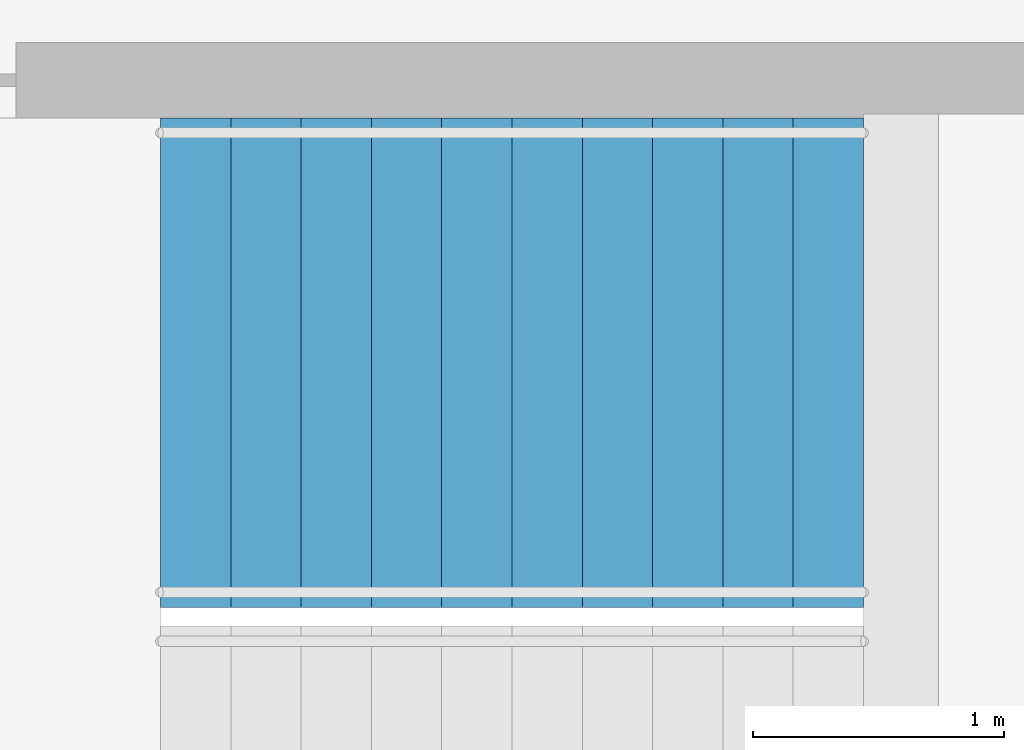
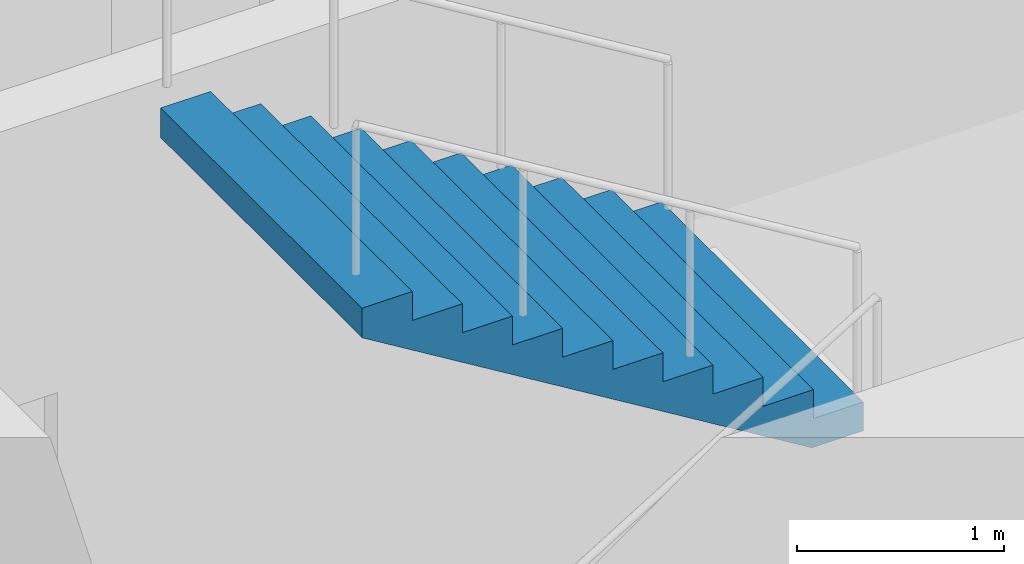
# One storey, part 21 of 26: 1 stair flight, 1 element without a shape of its own.
"""IFC4 building model written with IfcOpenShell, lengths in metres."""

from ifc_helpers import new_model, si_unit, direction, frame, origin, place, context, subcontext, project, spatial, triangles, material, type_object, element, aggregate, save


model = new_model("IFC4")

# Units and contexts
model_context = context("Model", 3, precision=1e-05, world=origin(), true_north=direction((0.0, 1.0)))
body_context = subcontext(model_context, "Body", "Model", "MODEL_VIEW")
ifc_project = project(units=[si_unit("LENGTHUNIT", "METRE"), si_unit("AREAUNIT", "SQUARE_METRE"), si_unit("VOLUMEUNIT", "CUBIC_METRE"), si_unit("PLANEANGLEUNIT", "RADIAN"), si_unit("MASSUNIT", "GRAM", prefix="KILO")], contexts=[model_context])

# Site, building, storey
site_placement = place(None, origin())
site = spatial("IfcSite", under=ifc_project, at=site_placement, CompositionType="ELEMENT")
building_placement = place(site_placement, origin())
building = spatial("IfcBuilding", under=site, at=building_placement, Name="Orbita Commons", CompositionType="ELEMENT")
storey_placement = place(building_placement, frame((0.0, 0.0, 114.39990234375)))
storey = spatial("IfcBuildingStorey", under=building, at=storey_placement, Name="L28", CompositionType="ELEMENT", Elevation=114.39990234375)

# Stair, stair flight
ifc_material_1 = material(Name="Precast concrete C40/50", Category="concrete")
stair_type = type_object("IfcStairType", Name="Exit stair S1 2 flights 11 risers 170", PredefinedType="HALF_TURN_STAIR", material=ifc_material_1)
stair_placement = place(storey_placement, origin())
stair = element("IfcStair", 1, at=stair_placement, inside=storey, type_object=stair_type, Name="Exit stair S1 L28", PredefinedType="HALF_TURN_STAIR")
ifc_material_2 = material(Name="Precast concrete C40/50", Category="concrete")
stair_flight_type = type_object("IfcStairFlightType", Name="Stair flight 11 risers 170 x 280", PredefinedType="STRAIGHT", material=ifc_material_2)
stair_flight_placement = place(storey_placement, frame((23.25, 29.27490234375, 1.875), z_axis=(0.0, 0.0, 1.0), x_axis=(-1.0, 0.0, 0.0)))
stair_flight = element("IfcStairFlight", 2, at=stair_flight_placement, type_object=stair_flight_type, Name="S1 flight 2", NumberOfRisers=11, NumberOfTreads=10, PredefinedType="STRAIGHT", RiserHeight=0.170454545, TreadLength=0.28, context=body_context, shape_type="Tessellation", body=[
    triangles([(0.0, 0.974976, 0.0), (0.0, 0.974976, 0.021307), (0.0, 0.81248, 0.021307), (0.0, 0.81248, 0.0), (0.0, 0.649984, 0.021307), (0.0, 0.649984, 0.0), (0.0, 0.487488, 0.021307), (0.0, 0.487488, 0.0), (0.0, 0.324992, 0.021307), (0.0, 0.324992, 0.0), (0.0, 0.162496, 0.021307), (0.0, 0.162496, 0.0), (0.0, 0.0, 0.021307), (0.0, 0.0, 0.0), (0.0, -0.162496, 0.021307), (0.0, -0.162496, 0.0), (0.0, -0.324992, 0.021307), (0.0, -0.324992, 0.0), (0.0, -0.487488, 0.021307), (0.0, -0.487488, 0.0), (0.0, -0.649984, 0.021307), (0.0, -0.649984, 0.0), (0.0, -0.81248, 0.021307), (0.0, -0.81248, 0.0), (0.0, -0.974976, 0.021307), (0.0, -0.974976, 0.0), (0.0, 0.974976, 0.042614), (0.0, 0.81248, 0.042614), (0.0, 0.649984, 0.042614), (0.0, 0.487488, 0.042614), (0.0, 0.324992, 0.042614), (0.0, 0.162496, 0.042614), (0.0, 0.0, 0.042614), (0.0, -0.162496, 0.042614), (0.0, -0.324992, 0.042614), (0.0, -0.487488, 0.042614), (0.0, -0.649984, 0.042614), (0.0, -0.81248, 0.042614), (0.0, -0.974976, 0.042614), (0.0, 0.974976, 0.06392), (0.0, 0.81248, 0.06392), (0.0, 0.649984, 0.06392), (0.0, 0.487488, 0.06392), (0.0, 0.324992, 0.06392), (0.0, 0.162496, 0.06392), (0.0, 0.0, 0.06392), (0.0, -0.162496, 0.06392), (0.0, -0.324992, 0.06392), (0.0, -0.487488, 0.06392), (0.0, -0.649984, 0.06392), (0.0, -0.81248, 0.06392), (0.0, -0.974976, 0.06392), (0.0, 0.974976, 0.085227), (0.0, 0.81248, 0.085227), (0.0, 0.649984, 0.085227), (0.0, 0.487488, 0.085227), (0.0, 0.324992, 0.085227), (0.0, 0.162496, 0.085227), (0.0, 0.0, 0.085227), (0.0, -0.162496, 0.085227), (0.0, -0.324992, 0.085227), (0.0, -0.487488, 0.085227), (0.0, -0.649984, 0.085227), (0.0, -0.81248, 0.085227), (0.0, -0.974976, 0.085227), (0.0, 0.974976, 0.106534), (0.0, 0.81248, 0.106534), (0.0, 0.649984, 0.106534), (0.0, 0.487488, 0.106534), (0.0, 0.324992, 0.106534), (0.0, 0.162496, 0.106534), (0.0, 0.0, 0.106534), (0.0, -0.162496, 0.106534), (0.0, -0.324992, 0.106534), (0.0, -0.487488, 0.106534), (0.0, -0.649984, 0.106534), (0.0, -0.81248, 0.106534), (0.0, -0.974976, 0.106534), (0.0, 0.974976, 0.127841), (0.0, 0.81248, 0.127841), (0.0, 0.649984, 0.127841), (0.0, 0.487488, 0.127841), (0.0, 0.324992, 0.127841), (0.0, 0.162496, 0.127841), (0.0, 0.0, 0.127841), (0.0, -0.162496, 0.127841), (0.0, -0.324992, 0.127841), (0.0, -0.487488, 0.127841), (0.0, -0.649984, 0.127841), (0.0, -0.81248, 0.127841), (0.0, -0.974976, 0.127841), (0.0, 0.974976, 0.149148), (0.0, 0.81248, 0.149148), (0.0, 0.649984, 0.149148), (0.0, 0.487488, 0.149148), (0.0, 0.324992, 0.149148), (0.0, 0.162496, 0.149148), (0.0, 0.0, 0.149148), (0.0, -0.162496, 0.149148), (0.0, -0.324992, 0.149148), (0.0, -0.487488, 0.149148), (0.0, -0.649984, 0.149148), (0.0, -0.81248, 0.149148), (0.0, -0.974976, 0.149148), (0.0, 0.974976, 0.170455), (0.0, 0.81248, 0.170455), (0.0, 0.649984, 0.170455), (0.0, 0.487488, 0.170455), (0.0, 0.324992, 0.170455), (0.0, 0.162496, 0.170455), (0.0, 0.0, 0.170455), (0.0, -0.162496, 0.170455), (0.0, -0.324992, 0.170455), (0.0, -0.487488, 0.170455), (0.0, -0.649984, 0.170455), (0.0, -0.81248, 0.170455), (0.0, -0.974976, 0.170455), (0.28, 0.974976, 0.170455), (0.28, 0.81248, 0.170455), (0.28, 0.649984, 0.170455), (0.28, 0.487488, 0.170455), (0.28, 0.324992, 0.170455), (0.28, 0.162496, 0.170455), (0.28, 0.0, 0.170455), (0.28, -0.162496, 0.170455), (0.28, -0.324992, 0.170455), (0.28, -0.487488, 0.170455), (0.28, -0.649984, 0.170455), (0.28, -0.81248, 0.170455), (0.28, -0.974976, 0.170455), (0.28, 0.974976, 0.340909), (0.28, 0.81248, 0.340909), (0.28, 0.649984, 0.340909), (0.28, 0.487488, 0.340909), (0.28, 0.324992, 0.340909), (0.28, 0.162496, 0.340909), (0.28, 0.0, 0.340909), (0.28, -0.162496, 0.340909), (0.28, -0.324992, 0.340909), (0.28, -0.487488, 0.340909), (0.28, -0.649984, 0.340909), (0.28, -0.81248, 0.340909), (0.28, -0.974976, 0.340909), (0.56, 0.974976, 0.340909), (0.56, 0.81248, 0.340909), (0.56, 0.649984, 0.340909), (0.56, 0.487488, 0.340909), (0.56, 0.324992, 0.340909), (0.56, 0.162496, 0.340909), (0.56, 0.0, 0.340909), (0.56, -0.162496, 0.340909), (0.56, -0.324992, 0.340909), (0.56, -0.487488, 0.340909), (0.56, -0.649984, 0.340909), (0.56, -0.81248, 0.340909), (0.56, -0.974976, 0.340909), (0.56, 0.974976, 0.511364), (0.56, 0.81248, 0.511364), (0.56, 0.649984, 0.511364), (0.56, 0.487488, 0.511364), (0.56, 0.324992, 0.511364), (0.56, 0.162496, 0.511364), (0.56, 0.0, 0.511364), (0.56, -0.162496, 0.511364), (0.56, -0.324992, 0.511364), (0.56, -0.487488, 0.511364), (0.56, -0.649984, 0.511364), (0.56, -0.81248, 0.511364), (0.56, -0.974976, 0.511364), (0.84, 0.974976, 0.511364), (0.84, 0.81248, 0.511364), (0.84, 0.649984, 0.511364), (0.84, 0.487488, 0.511364), (0.84, 0.324992, 0.511364), (0.84, 0.162496, 0.511364), (0.84, 0.0, 0.511364), (0.84, -0.162496, 0.511364), (0.84, -0.324992, 0.511364), (0.84, -0.487488, 0.511364), (0.84, -0.649984, 0.511364), (0.84, -0.81248, 0.511364), (0.84, -0.974976, 0.511364), (0.84, 0.974976, 0.681818), (0.84, 0.81248, 0.681818), (0.84, 0.649984, 0.681818), (0.84, 0.487488, 0.681818), (0.84, 0.324992, 0.681818), (0.84, 0.162496, 0.681818), (0.84, 0.0, 0.681818), (0.84, -0.162496, 0.681818), (0.84, -0.324992, 0.681818), (0.84, -0.487488, 0.681818), (0.84, -0.649984, 0.681818), (0.84, -0.81248, 0.681818), (0.84, -0.974976, 0.681818), (1.12, 0.974976, 0.681818), (1.12, 0.81248, 0.681818), (1.12, 0.649984, 0.681818), (1.12, 0.487488, 0.681818), (1.12, 0.324992, 0.681818), (1.12, 0.162496, 0.681818), (1.12, 0.0, 0.681818), (1.12, -0.162496, 0.681818), (1.12, -0.324992, 0.681818), (1.12, -0.487488, 0.681818), (1.12, -0.649984, 0.681818), (1.12, -0.81248, 0.681818), (1.12, -0.974976, 0.681818), (1.12, 0.974976, 0.852273), (1.12, 0.81248, 0.852273), (1.12, 0.649984, 0.852273), (1.12, 0.487488, 0.852273), (1.12, 0.324992, 0.852273), (1.12, 0.162496, 0.852273), (1.12, 0.0, 0.852273), (1.12, -0.162496, 0.852273), (1.12, -0.324992, 0.852273), (1.12, -0.487488, 0.852273), (1.12, -0.649984, 0.852273), (1.12, -0.81248, 0.852273), (1.12, -0.974976, 0.852273), (1.4, 0.974976, 0.852273), (1.4, 0.81248, 0.852273), (1.4, 0.649984, 0.852273), (1.4, 0.487488, 0.852273), (1.4, 0.324992, 0.852273), (1.4, 0.162496, 0.852273), (1.4, 0.0, 0.852273), (1.4, -0.162496, 0.852273), (1.4, -0.324992, 0.852273), (1.4, -0.487488, 0.852273), (1.4, -0.649984, 0.852273), (1.4, -0.81248, 0.852273), (1.4, -0.974976, 0.852273), (1.4, 0.974976, 1.022727), (1.4, 0.81248, 1.022727), (1.4, 0.649984, 1.022727), (1.4, 0.487488, 1.022727), (1.4, 0.324992, 1.022727), (1.4, 0.162496, 1.022727), (1.4, 0.0, 1.022727), (1.4, -0.162496, 1.022727), (1.4, -0.324992, 1.022727), (1.4, -0.487488, 1.022727), (1.4, -0.649984, 1.022727), (1.4, -0.81248, 1.022727), (1.4, -0.974976, 1.022727), (1.68, 0.974976, 1.022727), (1.68, 0.81248, 1.022727), (1.68, 0.649984, 1.022727), (1.68, 0.487488, 1.022727), (1.68, 0.324992, 1.022727), (1.68, 0.162496, 1.022727), (1.68, 0.0, 1.022727), (1.68, -0.162496, 1.022727), (1.68, -0.324992, 1.022727), (1.68, -0.487488, 1.022727), (1.68, -0.649984, 1.022727), (1.68, -0.81248, 1.022727), (1.68, -0.974976, 1.022727), (1.68, 0.974976, 1.193182), (1.68, 0.81248, 1.193182), (1.68, 0.649984, 1.193182), (1.68, 0.487488, 1.193182), (1.68, 0.324992, 1.193182), (1.68, 0.162496, 1.193182), (1.68, 0.0, 1.193182), (1.68, -0.162496, 1.193182), (1.68, -0.324992, 1.193182), (1.68, -0.487488, 1.193182), (1.68, -0.649984, 1.193182), (1.68, -0.81248, 1.193182), (1.68, -0.974976, 1.193182), (1.96, 0.974976, 1.193182), (1.96, 0.81248, 1.193182), (1.96, 0.649984, 1.193182), (1.96, 0.487488, 1.193182), (1.96, 0.324992, 1.193182), (1.96, 0.162496, 1.193182), (1.96, 0.0, 1.193182), (1.96, -0.162496, 1.193182), (1.96, -0.324992, 1.193182), (1.96, -0.487488, 1.193182), (1.96, -0.649984, 1.193182), (1.96, -0.81248, 1.193182), (1.96, -0.974976, 1.193182), (1.96, 0.974976, 1.363636), (1.96, 0.81248, 1.363636), (1.96, 0.649984, 1.363636), (1.96, 0.487488, 1.363636), (1.96, 0.324992, 1.363636), (1.96, 0.162496, 1.363636), (1.96, 0.0, 1.363636), (1.96, -0.162496, 1.363636), (1.96, -0.324992, 1.363636), (1.96, -0.487488, 1.363636), (1.96, -0.649984, 1.363636), (1.96, -0.81248, 1.363636), (1.96, -0.974976, 1.363636), (2.24, 0.974976, 1.363636), (2.24, 0.81248, 1.363636), (2.24, 0.649984, 1.363636), (2.24, 0.487488, 1.363636), (2.24, 0.324992, 1.363636), (2.24, 0.162496, 1.363636), (2.24, 0.0, 1.363636), (2.24, -0.162496, 1.363636), (2.24, -0.324992, 1.363636), (2.24, -0.487488, 1.363636), (2.24, -0.649984, 1.363636), (2.24, -0.81248, 1.363636), (2.24, -0.974976, 1.363636), (2.24, 0.974976, 1.534091), (2.24, 0.81248, 1.534091), (2.24, 0.649984, 1.534091), (2.24, 0.487488, 1.534091), (2.24, 0.324992, 1.534091), (2.24, 0.162496, 1.534091), (2.24, 0.0, 1.534091), (2.24, -0.162496, 1.534091), (2.24, -0.324992, 1.534091), (2.24, -0.487488, 1.534091), (2.24, -0.649984, 1.534091), (2.24, -0.81248, 1.534091), (2.24, -0.974976, 1.534091), (2.52, 0.974976, 1.534091), (2.52, 0.81248, 1.534091), (2.52, 0.649984, 1.534091), (2.52, 0.487488, 1.534091), (2.52, 0.324992, 1.534091), (2.52, 0.162496, 1.534091), (2.52, 0.0, 1.534091), (2.52, -0.162496, 1.534091), (2.52, -0.324992, 1.534091), (2.52, -0.487488, 1.534091), (2.52, -0.649984, 1.534091), (2.52, -0.81248, 1.534091), (2.52, -0.974976, 1.534091), (2.52, 0.974976, 1.704545), (2.52, 0.81248, 1.704545), (2.52, 0.649984, 1.704545), (2.52, 0.487488, 1.704545), (2.52, 0.324992, 1.704545), (2.52, 0.162496, 1.704545), (2.52, 0.0, 1.704545), (2.52, -0.162496, 1.704545), (2.52, -0.324992, 1.704545), (2.52, -0.487488, 1.704545), (2.52, -0.649984, 1.704545), (2.52, -0.81248, 1.704545), (2.52, -0.974976, 1.704545), (2.8, 0.974976, 1.704545), (2.8, 0.81248, 1.704545), (2.8, 0.649984, 1.704545), (2.8, 0.487488, 1.704545), (2.8, 0.324992, 1.704545), (2.8, 0.162496, 1.704545), (2.8, 0.0, 1.704545), (2.8, -0.162496, 1.704545), (2.8, -0.324992, 1.704545), (2.8, -0.487488, 1.704545), (2.8, -0.649984, 1.704545), (2.8, -0.81248, 1.704545), (2.8, -0.974976, 1.704545), (2.8, 0.974976, 1.682609), (2.8, 0.81248, 1.682609), (2.8, 0.649984, 1.682609), (2.8, 0.487488, 1.682609), (2.8, 0.324992, 1.682609), (2.8, 0.162496, 1.682609), (2.8, 0.0, 1.682609), (2.8, -0.162496, 1.682609), (2.8, -0.324992, 1.682609), (2.8, -0.487488, 1.682609), (2.8, -0.649984, 1.682609), (2.8, -0.81248, 1.682609), (2.8, -0.974976, 1.682609), (2.8, 0.974976, 1.660672), (2.8, 0.81248, 1.660672), (2.8, 0.649984, 1.660672), (2.8, 0.487488, 1.660672), (2.8, 0.324992, 1.660672), (2.8, 0.162496, 1.660672), (2.8, 0.0, 1.660672), (2.8, -0.162496, 1.660672), (2.8, -0.324992, 1.660672), (2.8, -0.487488, 1.660672), (2.8, -0.649984, 1.660672), (2.8, -0.81248, 1.660672), (2.8, -0.974976, 1.660672), (2.8, 0.974976, 1.638735), (2.8, 0.81248, 1.638735), (2.8, 0.649984, 1.638735), (2.8, 0.487488, 1.638735), (2.8, 0.324992, 1.638735), (2.8, 0.162496, 1.638735), (2.8, 0.0, 1.638735), (2.8, -0.162496, 1.638735), (2.8, -0.324992, 1.638735), (2.8, -0.487488, 1.638735), (2.8, -0.649984, 1.638735), (2.8, -0.81248, 1.638735), (2.8, -0.974976, 1.638735), (2.8, 0.974976, 1.616798), (2.8, 0.81248, 1.616798), (2.8, 0.649984, 1.616798), (2.8, 0.487488, 1.616798), (2.8, 0.324992, 1.616798), (2.8, 0.162496, 1.616798), (2.8, 0.0, 1.616798), (2.8, -0.162496, 1.616798), (2.8, -0.324992, 1.616798), (2.8, -0.487488, 1.616798), (2.8, -0.649984, 1.616798), (2.8, -0.81248, 1.616798), (2.8, -0.974976, 1.616798), (2.8, 0.974976, 1.594861), (2.8, 0.81248, 1.594861), (2.8, 0.649984, 1.594861), (2.8, 0.487488, 1.594861), (2.8, 0.324992, 1.594861), (2.8, 0.162496, 1.594861), (2.8, 0.0, 1.594861), (2.8, -0.162496, 1.594861), (2.8, -0.324992, 1.594861), (2.8, -0.487488, 1.594861), (2.8, -0.649984, 1.594861), (2.8, -0.81248, 1.594861), (2.8, -0.974976, 1.594861), (2.8, 0.974976, 1.572925), (2.8, 0.81248, 1.572925), (2.8, 0.649984, 1.572925), (2.8, 0.487488, 1.572925), (2.8, 0.324992, 1.572925), (2.8, 0.162496, 1.572925), (2.8, 0.0, 1.572925), (2.8, -0.162496, 1.572925), (2.8, -0.324992, 1.572925), (2.8, -0.487488, 1.572925), (2.8, -0.649984, 1.572925), (2.8, -0.81248, 1.572925), (2.8, -0.974976, 1.572925), (2.8, 0.974976, 1.550988), (2.8, 0.81248, 1.550988), (2.8, 0.649984, 1.550988), (2.8, 0.487488, 1.550988), (2.8, 0.324992, 1.550988), (2.8, 0.162496, 1.550988), (2.8, 0.0, 1.550988), (2.8, -0.162496, 1.550988), (2.8, -0.324992, 1.550988), (2.8, -0.487488, 1.550988), (2.8, -0.649984, 1.550988), (2.8, -0.81248, 1.550988), (2.8, -0.974976, 1.550988), (2.8, 0.974976, 1.529051), (2.8, 0.81248, 1.529051), (2.8, 0.649984, 1.529051), (2.8, 0.487488, 1.529051), (2.8, 0.324992, 1.529051), (2.8, 0.162496, 1.529051), (2.8, 0.0, 1.529051), (2.8, -0.162496, 1.529051), (2.8, -0.324992, 1.529051), (2.8, -0.487488, 1.529051), (2.8, -0.649984, 1.529051), (2.8, -0.81248, 1.529051), (2.8, -0.974976, 1.529051), (0.288279, 0.974976, 0.0), (0.288279, 0.81248, 0.0), (0.288279, 0.649984, 0.0), (0.288279, 0.487488, 0.0), (0.288279, 0.324992, 0.0), (0.288279, 0.162496, 0.0), (0.288279, 0.0, 0.0), (0.288279, -0.162496, 0.0), (0.288279, -0.324992, 0.0), (0.288279, -0.487488, 0.0), (0.288279, -0.649984, 0.0), (0.288279, -0.81248, 0.0), (0.288279, -0.974976, 0.0)], [[3, 2, 1], [4, 3, 1], [5, 3, 4], [6, 5, 4], [7, 5, 6], [8, 7, 6], [9, 7, 8], [10, 9, 8], [11, 9, 10], [12, 11, 10], [13, 11, 12], [14, 13, 12], [15, 13, 14], [16, 15, 14], [17, 15, 16], [18, 17, 16], [19, 17, 18], [20, 19, 18], [21, 19, 20], [22, 21, 20], [23, 21, 22], [24, 23, 22], [25, 23, 24], [26, 25, 24], [28, 27, 2], [3, 28, 2], [29, 28, 3], [5, 29, 3], [30, 29, 5], [7, 30, 5], [31, 30, 7], [9, 31, 7], [32, 31, 9], [11, 32, 9], [33, 32, 11], [13, 33, 11], [34, 33, 13], [15, 34, 13], [35, 34, 15], [17, 35, 15], [36, 35, 17], [19, 36, 17], [37, 36, 19], [21, 37, 19], [38, 37, 21], [23, 38, 21], [39, 38, 23], [25, 39, 23], [41, 40, 27], [28, 41, 27], [42, 41, 28], [29, 42, 28], [43, 42, 29], [30, 43, 29], [44, 43, 30], [31, 44, 30], [45, 44, 31], [32, 45, 31], [46, 45, 32], [33, 46, 32], [47, 46, 33], [34, 47, 33], [48, 47, 34], [35, 48, 34], [49, 48, 35], [36, 49, 35], [50, 49, 36], [37, 50, 36], [51, 50, 37], [38, 51, 37], [52, 51, 38], [39, 52, 38], [54, 53, 40], [41, 54, 40], [55, 54, 41], [42, 55, 41], [56, 55, 42], [43, 56, 42], [57, 56, 43], [44, 57, 43], [58, 57, 44], [45, 58, 44], [59, 58, 45], [46, 59, 45], [60, 59, 46], [47, 60, 46], [61, 60, 47], [48, 61, 47], [62, 61, 48], [49, 62, 48], [63, 62, 49], [50, 63, 49], [64, 63, 50], [51, 64, 50], [65, 64, 51], [52, 65, 51], [67, 66, 53], [54, 67, 53], [68, 67, 54], [55, 68, 54], [69, 68, 55], [56, 69, 55], [70, 69, 56], [57, 70, 56], [71, 70, 57], [58, 71, 57], [72, 71, 58], [59, 72, 58], [73, 72, 59], [60, 73, 59], [74, 73, 60], [61, 74, 60], [75, 74, 61], [62, 75, 61], [76, 75, 62], [63, 76, 62], [77, 76, 63], [64, 77, 63], [78, 77, 64], [65, 78, 64], [80, 79, 66], [67, 80, 66], [81, 80, 67], [68, 81, 67], [82, 81, 68], [69, 82, 68], [83, 82, 69], [70, 83, 69], [84, 83, 70], [71, 84, 70], [85, 84, 71], [72, 85, 71], [86, 85, 72], [73, 86, 72], [87, 86, 73], [74, 87, 73], [88, 87, 74], [75, 88, 74], [89, 88, 75], [76, 89, 75], [90, 89, 76], [77, 90, 76], [91, 90, 77], [78, 91, 77], [93, 92, 79], [80, 93, 79], [94, 93, 80], [81, 94, 80], [95, 94, 81], [82, 95, 81], [96, 95, 82], [83, 96, 82], [97, 96, 83], [84, 97, 83], [98, 97, 84], [85, 98, 84], [99, 98, 85], [86, 99, 85], [100, 99, 86], [87, 100, 86], [101, 100, 87], [88, 101, 87], [102, 101, 88], [89, 102, 88], [103, 102, 89], [90, 103, 89], [104, 103, 90], [91, 104, 90], [106, 105, 92], [93, 106, 92], [107, 106, 93], [94, 107, 93], [108, 107, 94], [95, 108, 94], [109, 108, 95], [96, 109, 95], [110, 109, 96], [97, 110, 96], [111, 110, 97], [98, 111, 97], [112, 111, 98], [99, 112, 98], [113, 112, 99], [100, 113, 99], [114, 113, 100], [101, 114, 100], [115, 114, 101], [102, 115, 101], [116, 115, 102], [103, 116, 102], [117, 116, 103], [104, 117, 103], [119, 118, 105], [106, 119, 105], [120, 119, 106], [107, 120, 106], [121, 120, 107], [108, 121, 107], [122, 121, 108], [109, 122, 108], [123, 122, 109], [110, 123, 109], [124, 123, 110], [111, 124, 110], [125, 124, 111], [112, 125, 111], [126, 125, 112], [113, 126, 112], [127, 126, 113], [114, 127, 113], [128, 127, 114], [115, 128, 114], [129, 128, 115], [116, 129, 115], [130, 129, 116], [117, 130, 116], [132, 131, 118], [119, 132, 118], [133, 132, 119], [120, 133, 119], [134, 133, 120], [121, 134, 120], [135, 134, 121], [122, 135, 121], [136, 135, 122], [123, 136, 122], [137, 136, 123], [124, 137, 123], [138, 137, 124], [125, 138, 124], [139, 138, 125], [126, 139, 125], [140, 139, 126], [127, 140, 126], [141, 140, 127], [128, 141, 127], [142, 141, 128], [129, 142, 128], [143, 142, 129], [130, 143, 129], [145, 144, 131], [132, 145, 131], [146, 145, 132], [133, 146, 132], [147, 146, 133], [134, 147, 133], [148, 147, 134], [135, 148, 134], [149, 148, 135], [136, 149, 135], [150, 149, 136], [137, 150, 136], [151, 150, 137], [138, 151, 137], [152, 151, 138], [139, 152, 138], [153, 152, 139], [140, 153, 139], [154, 153, 140], [141, 154, 140], [155, 154, 141], [142, 155, 141], [156, 155, 142], [143, 156, 142], [158, 157, 144], [145, 158, 144], [159, 158, 145], [146, 159, 145], [160, 159, 146], [147, 160, 146], [161, 160, 147], [148, 161, 147], [162, 161, 148], [149, 162, 148], [163, 162, 149], [150, 163, 149], [164, 163, 150], [151, 164, 150], [165, 164, 151], [152, 165, 151], [166, 165, 152], [153, 166, 152], [167, 166, 153], [154, 167, 153], [168, 167, 154], [155, 168, 154], [169, 168, 155], [156, 169, 155], [171, 170, 157], [158, 171, 157], [172, 171, 158], [159, 172, 158], [173, 172, 159], [160, 173, 159], [174, 173, 160], [161, 174, 160], [175, 174, 161], [162, 175, 161], [176, 175, 162], [163, 176, 162], [177, 176, 163], [164, 177, 163], [178, 177, 164], [165, 178, 164], [179, 178, 165], [166, 179, 165], [180, 179, 166], [167, 180, 166], [181, 180, 167], [168, 181, 167], [182, 181, 168], [169, 182, 168], [184, 183, 170], [171, 184, 170], [185, 184, 171], [172, 185, 171], [186, 185, 172], [173, 186, 172], [187, 186, 173], [174, 187, 173], [188, 187, 174], [175, 188, 174], [189, 188, 175], [176, 189, 175], [190, 189, 176], [177, 190, 176], [191, 190, 177], [178, 191, 177], [192, 191, 178], [179, 192, 178], [193, 192, 179], [180, 193, 179], [194, 193, 180], [181, 194, 180], [195, 194, 181], [182, 195, 181], [197, 196, 183], [184, 197, 183], [198, 197, 184], [185, 198, 184], [199, 198, 185], [186, 199, 185], [200, 199, 186], [187, 200, 186], [201, 200, 187], [188, 201, 187], [202, 201, 188], [189, 202, 188], [203, 202, 189], [190, 203, 189], [204, 203, 190], [191, 204, 190], [205, 204, 191], [192, 205, 191], [206, 205, 192], [193, 206, 192], [207, 206, 193], [194, 207, 193], [208, 207, 194], [195, 208, 194], [210, 209, 196], [197, 210, 196], [211, 210, 197], [198, 211, 197], [212, 211, 198], [199, 212, 198], [213, 212, 199], [200, 213, 199], [214, 213, 200], [201, 214, 200], [215, 214, 201], [202, 215, 201], [216, 215, 202], [203, 216, 202], [217, 216, 203], [204, 217, 203], [218, 217, 204], [205, 218, 204], [219, 218, 205], [206, 219, 205], [220, 219, 206], [207, 220, 206], [221, 220, 207], [208, 221, 207], [223, 222, 209], [210, 223, 209], [224, 223, 210], [211, 224, 210], [225, 224, 211], [212, 225, 211], [226, 225, 212], [213, 226, 212], [227, 226, 213], [214, 227, 213], [228, 227, 214], [215, 228, 214], [229, 228, 215], [216, 229, 215], [230, 229, 216], [217, 230, 216], [231, 230, 217], [218, 231, 217], [232, 231, 218], [219, 232, 218], [233, 232, 219], [220, 233, 219], [234, 233, 220], [221, 234, 220], [236, 235, 222], [223, 236, 222], [237, 236, 223], [224, 237, 223], [238, 237, 224], [225, 238, 224], [239, 238, 225], [226, 239, 225], [240, 239, 226], [227, 240, 226], [241, 240, 227], [228, 241, 227], [242, 241, 228], [229, 242, 228], [243, 242, 229], [230, 243, 229], [244, 243, 230], [231, 244, 230], [245, 244, 231], [232, 245, 231], [246, 245, 232], [233, 246, 232], [247, 246, 233], [234, 247, 233], [249, 248, 235], [236, 249, 235], [250, 249, 236], [237, 250, 236], [251, 250, 237], [238, 251, 237], [252, 251, 238], [239, 252, 238], [253, 252, 239], [240, 253, 239], [254, 253, 240], [241, 254, 240], [255, 254, 241], [242, 255, 241], [256, 255, 242], [243, 256, 242], [257, 256, 243], [244, 257, 243], [258, 257, 244], [245, 258, 244], [259, 258, 245], [246, 259, 245], [260, 259, 246], [247, 260, 246], [262, 261, 248], [249, 262, 248], [263, 262, 249], [250, 263, 249], [264, 263, 250], [251, 264, 250], [265, 264, 251], [252, 265, 251], [266, 265, 252], [253, 266, 252], [267, 266, 253], [254, 267, 253], [268, 267, 254], [255, 268, 254], [269, 268, 255], [256, 269, 255], [270, 269, 256], [257, 270, 256], [271, 270, 257], [258, 271, 257], [272, 271, 258], [259, 272, 258], [273, 272, 259], [260, 273, 259], [275, 274, 261], [262, 275, 261], [276, 275, 262], [263, 276, 262], [277, 276, 263], [264, 277, 263], [278, 277, 264], [265, 278, 264], [279, 278, 265], [266, 279, 265], [280, 279, 266], [267, 280, 266], [281, 280, 267], [268, 281, 267], [282, 281, 268], [269, 282, 268], [283, 282, 269], [270, 283, 269], [284, 283, 270], [271, 284, 270], [285, 284, 271], [272, 285, 271], [286, 285, 272], [273, 286, 272], [288, 287, 274], [275, 288, 274], [289, 288, 275], [276, 289, 275], [290, 289, 276], [277, 290, 276], [291, 290, 277], [278, 291, 277], [292, 291, 278], [279, 292, 278], [293, 292, 279], [280, 293, 279], [294, 293, 280], [281, 294, 280], [295, 294, 281], [282, 295, 281], [296, 295, 282], [283, 296, 282], [297, 296, 283], [284, 297, 283], [298, 297, 284], [285, 298, 284], [299, 298, 285], [286, 299, 285], [301, 300, 287], [288, 301, 287], [302, 301, 288], [289, 302, 288], [303, 302, 289], [290, 303, 289], [304, 303, 290], [291, 304, 290], [305, 304, 291], [292, 305, 291], [306, 305, 292], [293, 306, 292], [307, 306, 293], [294, 307, 293], [308, 307, 294], [295, 308, 294], [309, 308, 295], [296, 309, 295], [310, 309, 296], [297, 310, 296], [311, 310, 297], [298, 311, 297], [312, 311, 298], [299, 312, 298], [314, 313, 300], [301, 314, 300], [315, 314, 301], [302, 315, 301], [316, 315, 302], [303, 316, 302], [317, 316, 303], [304, 317, 303], [318, 317, 304], [305, 318, 304], [319, 318, 305], [306, 319, 305], [320, 319, 306], [307, 320, 306], [321, 320, 307], [308, 321, 307], [322, 321, 308], [309, 322, 308], [323, 322, 309], [310, 323, 309], [324, 323, 310], [311, 324, 310], [325, 324, 311], [312, 325, 311], [327, 326, 313], [314, 327, 313], [328, 327, 314], [315, 328, 314], [329, 328, 315], [316, 329, 315], [330, 329, 316], [317, 330, 316], [331, 330, 317], [318, 331, 317], [332, 331, 318], [319, 332, 318], [333, 332, 319], [320, 333, 319], [334, 333, 320], [321, 334, 320], [335, 334, 321], [322, 335, 321], [336, 335, 322], [323, 336, 322], [337, 336, 323], [324, 337, 323], [338, 337, 324], [325, 338, 324], [340, 339, 326], [327, 340, 326], [341, 340, 327], [328, 341, 327], [342, 341, 328], [329, 342, 328], [343, 342, 329], [330, 343, 329], [344, 343, 330], [331, 344, 330], [345, 344, 331], [332, 345, 331], [346, 345, 332], [333, 346, 332], [347, 346, 333], [334, 347, 333], [348, 347, 334], [335, 348, 334], [349, 348, 335], [336, 349, 335], [350, 349, 336], [337, 350, 336], [351, 350, 337], [338, 351, 337], [353, 352, 339], [340, 353, 339], [354, 353, 340], [341, 354, 340], [355, 354, 341], [342, 355, 341], [356, 355, 342], [343, 356, 342], [357, 356, 343], [344, 357, 343], [358, 357, 344], [345, 358, 344], [359, 358, 345], [346, 359, 345], [360, 359, 346], [347, 360, 346], [361, 360, 347], [348, 361, 347], [362, 361, 348], [349, 362, 348], [363, 362, 349], [350, 363, 349], [364, 363, 350], [351, 364, 350], [366, 365, 352], [353, 366, 352], [367, 366, 353], [354, 367, 353], [368, 367, 354], [355, 368, 354], [369, 368, 355], [356, 369, 355], [370, 369, 356], [357, 370, 356], [371, 370, 357], [358, 371, 357], [372, 371, 358], [359, 372, 358], [373, 372, 359], [360, 373, 359], [374, 373, 360], [361, 374, 360], [375, 374, 361], [362, 375, 361], [376, 375, 362], [363, 376, 362], [377, 376, 363], [364, 377, 363], [379, 378, 365], [366, 379, 365], [380, 379, 366], [367, 380, 366], [381, 380, 367], [368, 381, 367], [382, 381, 368], [369, 382, 368], [383, 382, 369], [370, 383, 369], [384, 383, 370], [371, 384, 370], [385, 384, 371], [372, 385, 371], [386, 385, 372], [373, 386, 372], [387, 386, 373], [374, 387, 373], [388, 387, 374], [375, 388, 374], [389, 388, 375], [376, 389, 375], [390, 389, 376], [377, 390, 376], [392, 391, 378], [379, 392, 378], [393, 392, 379], [380, 393, 379], [394, 393, 380], [381, 394, 380], [395, 394, 381], [382, 395, 381], [396, 395, 382], [383, 396, 382], [397, 396, 383], [384, 397, 383], [398, 397, 384], [385, 398, 384], [399, 398, 385], [386, 399, 385], [400, 399, 386], [387, 400, 386], [401, 400, 387], [388, 401, 387], [402, 401, 388], [389, 402, 388], [403, 402, 389], [390, 403, 389], [405, 404, 391], [392, 405, 391], [406, 405, 392], [393, 406, 392], [407, 406, 393], [394, 407, 393], [408, 407, 394], [395, 408, 394], [409, 408, 395], [396, 409, 395], [410, 409, 396], [397, 410, 396], [411, 410, 397], [398, 411, 397], [412, 411, 398], [399, 412, 398], [413, 412, 399], [400, 413, 399], [414, 413, 400], [401, 414, 400], [415, 414, 401], [402, 415, 401], [416, 415, 402], [403, 416, 402], [418, 417, 404], [405, 418, 404], [419, 418, 405], [406, 419, 405], [420, 419, 406], [407, 420, 406], [421, 420, 407], [408, 421, 407], [422, 421, 408], [409, 422, 408], [423, 422, 409], [410, 423, 409], [424, 423, 410], [411, 424, 410], [425, 424, 411], [412, 425, 411], [426, 425, 412], [413, 426, 412], [427, 426, 413], [414, 427, 413], [428, 427, 414], [415, 428, 414], [429, 428, 415], [416, 429, 415], [431, 430, 417], [418, 431, 417], [432, 431, 418], [419, 432, 418], [433, 432, 419], [420, 433, 419], [434, 433, 420], [421, 434, 420], [435, 434, 421], [422, 435, 421], [436, 435, 422], [423, 436, 422], [437, 436, 423], [424, 437, 423], [438, 437, 424], [425, 438, 424], [439, 438, 425], [426, 439, 425], [440, 439, 426], [427, 440, 426], [441, 440, 427], [428, 441, 427], [442, 441, 428], [429, 442, 428], [444, 443, 430], [431, 444, 430], [445, 444, 431], [432, 445, 431], [446, 445, 432], [433, 446, 432], [447, 446, 433], [434, 447, 433], [448, 447, 434], [435, 448, 434], [449, 448, 435], [436, 449, 435], [450, 449, 436], [437, 450, 436], [451, 450, 437], [438, 451, 437], [452, 451, 438], [439, 452, 438], [453, 452, 439], [440, 453, 439], [454, 453, 440], [441, 454, 440], [455, 454, 441], [442, 455, 441], [457, 456, 443], [444, 457, 443], [458, 457, 444], [445, 458, 444], [459, 458, 445], [446, 459, 445], [460, 459, 446], [447, 460, 446], [461, 460, 447], [448, 461, 447], [462, 461, 448], [449, 462, 448], [463, 462, 449], [450, 463, 449], [464, 463, 450], [451, 464, 450], [465, 464, 451], [452, 465, 451], [466, 465, 452], [453, 466, 452], [467, 466, 453], [454, 467, 453], [468, 467, 454], [455, 468, 454], [470, 469, 456], [457, 470, 456], [471, 470, 457], [458, 471, 457], [472, 471, 458], [459, 472, 458], [473, 472, 459], [460, 473, 459], [474, 473, 460], [461, 474, 460], [475, 474, 461], [462, 475, 461], [476, 475, 462], [463, 476, 462], [477, 476, 463], [464, 477, 463], [478, 477, 464], [465, 478, 464], [479, 478, 465], [466, 479, 465], [480, 479, 466], [467, 480, 466], [481, 480, 467], [468, 481, 467], [4, 1, 469], [470, 4, 469], [6, 4, 470], [471, 6, 470], [8, 6, 471], [472, 8, 471], [10, 8, 472], [473, 10, 472], [12, 10, 473], [474, 12, 473], [14, 12, 474], [475, 14, 474], [16, 14, 475], [476, 16, 475], [18, 16, 476], [477, 18, 476], [20, 18, 477], [478, 20, 477], [22, 20, 478], [479, 22, 478], [24, 22, 479], [480, 24, 479], [26, 24, 480], [481, 26, 480], [456, 469, 1], [26, 481, 468], [443, 456, 1], [26, 468, 455], [430, 443, 1], [26, 455, 442], [417, 430, 1], [26, 442, 429], [404, 417, 1], [26, 429, 416], [391, 404, 1], [26, 416, 403], [378, 391, 1], [26, 403, 390], [365, 378, 1], [26, 390, 377], [339, 352, 365], [377, 364, 351], [326, 339, 365], [377, 351, 338], [300, 313, 326], [338, 325, 312], [300, 326, 365], [377, 338, 312], [274, 287, 300], [312, 299, 286], [274, 300, 365], [377, 312, 286], [248, 261, 274], [286, 273, 260], [248, 274, 365], [377, 286, 260], [222, 235, 248], [260, 247, 234], [222, 248, 365], [377, 260, 234], [196, 209, 222], [234, 221, 208], [196, 222, 365], [377, 234, 208], [170, 183, 196], [208, 195, 182], [170, 196, 365], [377, 208, 182], [144, 157, 170], [182, 169, 156], [144, 170, 365], [377, 182, 156], [118, 131, 144], [156, 143, 130], [118, 144, 365], [377, 156, 130], [118, 365, 1], [26, 377, 130], [92, 105, 118], [130, 117, 104], [79, 92, 118], [130, 104, 91], [66, 79, 118], [130, 91, 78], [53, 66, 118], [130, 78, 65], [40, 53, 118], [130, 65, 52], [27, 40, 118], [130, 52, 39], [2, 27, 118], [130, 39, 25], [1, 2, 118], [130, 25, 26]], closed=True),
])
aggregate(stair, [stair_flight])

save(model, "model.ifc")
